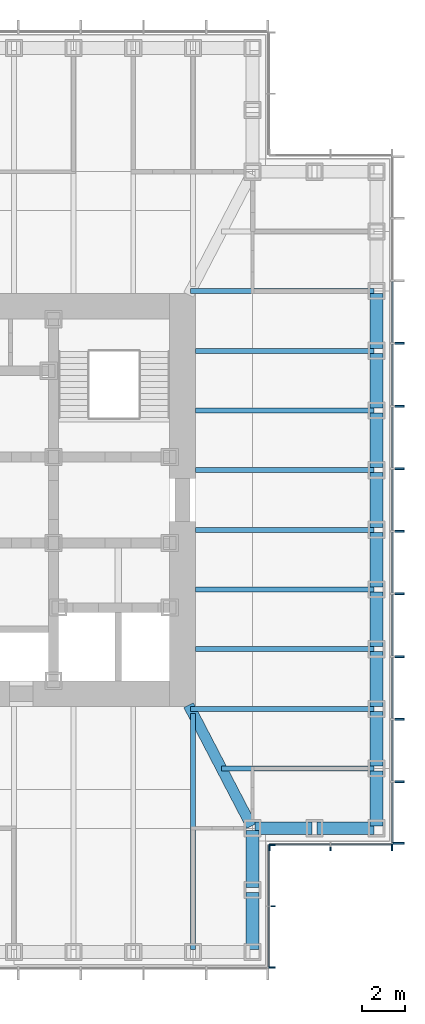
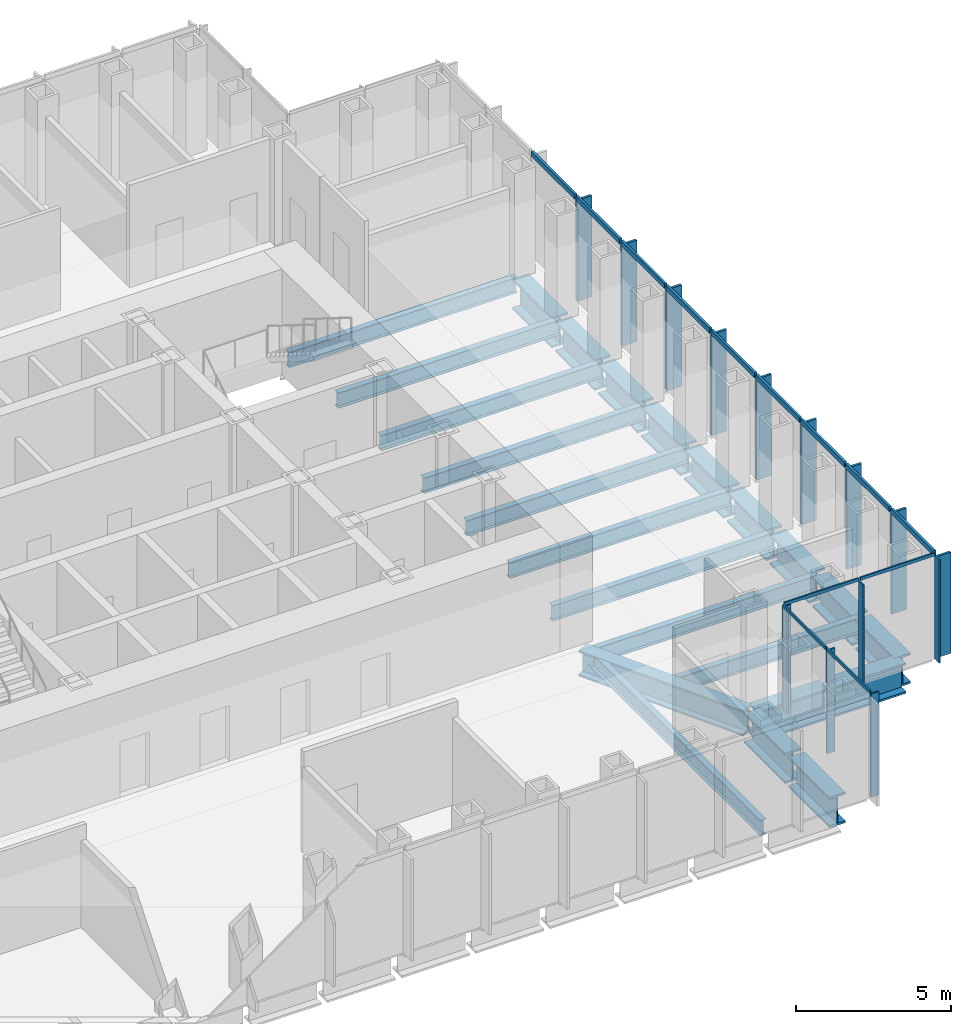
# One storey, part 4 of 16: 28 members, 24 beams, 3 elements without a shape of their own.
"""IFC4 building model written with IfcOpenShell, lengths in metres."""

from ifc_helpers import new_model, si_unit, direction, frame, origin, origin_2d, place, context, subcontext, project, spatial, rectangle, i_section, extrude, material, material_profile, profile_set, type_object, element, aggregate, save


model = new_model("IFC4")

# Units and contexts
model_context = context("Model", 3, precision=1e-05, world=origin(), true_north=direction((0.0, 1.0)))
body_context = subcontext(model_context, "Body", "Model", "MODEL_VIEW")
ifc_project = project(units=[si_unit("LENGTHUNIT", "METRE"), si_unit("AREAUNIT", "SQUARE_METRE"), si_unit("VOLUMEUNIT", "CUBIC_METRE"), si_unit("PLANEANGLEUNIT", "RADIAN"), si_unit("MASSUNIT", "GRAM", prefix="KILO")], contexts=[model_context])

# Site, building, storey
site_placement = place(None, origin())
site = spatial("IfcSite", under=ifc_project, at=site_placement, CompositionType="ELEMENT")
building_placement = place(site_placement, origin())
building = spatial("IfcBuilding", under=site, at=building_placement, Name="Daluyong Arena Tower", CompositionType="ELEMENT")
storey_placement = place(building_placement, frame((0.0, 0.0, 254.5)))
storey = spatial("IfcBuildingStorey", under=building, at=storey_placement, Name="L57", CompositionType="ELEMENT", Elevation=254.5)

# Curtain wall, members
ifc_material_1 = material(Name="Bronze anodised aluminium and glass", Category="aluminium")
curtain_wall_type_1 = type_object("IfcCurtainWallType", Name="Curtain wall CW4", PredefinedType="USERDEFINED", material=ifc_material_1)
curtain_wall_1_placement = place(storey_placement, origin())
curtain_wall_1 = element("IfcCurtainWall", 1, at=curtain_wall_1_placement, inside=storey, type_object=curtain_wall_type_1, Name="curtain wall L57 E", ObjectType="UNITISED CURTAIN WALL", PredefinedType="USERDEFINED")
ifc_material_2 = material(Name="Bronze anodised aluminium fin", Category="aluminium")
ifc_material_profile_1 = material_profile(ifc_material_2, rectangle(XDim=0.550048828125, YDim=0.090087890625, at=origin_2d()))
ifc_profile_set_1 = profile_set([ifc_material_profile_1], Name="Bronze anodised aluminium fin")
member_type_1 = type_object("IfcMemberType", Name="CW4 bronze fin 550x90", PredefinedType="MULLION", material=ifc_profile_set_1)
member_1_placement = place(storey_placement, frame((78.02490234375, 64.044921875, 0.0), z_axis=(0.0, 0.0, 1.0), x_axis=(-1.0, 0.0, 0.0)))
member_1 = element("IfcMember", 2, at=member_1_placement, type_object=member_type_1, Name="curtain wall L57 E fin 1", PredefinedType="MULLION", context=body_context, shape_type="SweptSolid", body=[
    extrude(rectangle(XDim=0.550048828125, YDim=0.090087890625, at=origin_2d()), origin(), (0.0, 0.0, 1.0), 4.0),
])
member_2_placement = place(storey_placement, frame((78.02490234375, 66.9091796875, 0.0), z_axis=(0.0, 0.0, 1.0), x_axis=(-1.0, 0.0, 0.0)))
member_2 = element("IfcMember", 3, at=member_2_placement, type_object=member_type_1, Name="curtain wall L57 E fin 2", PredefinedType="MULLION", context=body_context, shape_type="SweptSolid", body=[
    extrude(rectangle(XDim=0.550048828125, YDim=0.090087890625, at=origin_2d()), origin(), (0.0, 0.0, 1.0), 4.0),
])
member_3_placement = place(storey_placement, frame((78.02490234375, 69.818115234375, 0.0), z_axis=(0.0, 0.0, 1.0), x_axis=(-1.0, 0.0, 0.0)))
member_3 = element("IfcMember", 4, at=member_3_placement, type_object=member_type_1, Name="curtain wall L57 E fin 3", PredefinedType="MULLION", context=body_context, shape_type="SweptSolid", body=[
    extrude(rectangle(XDim=0.550048828125, YDim=0.090087890625, at=origin_2d()), origin(), (0.0, 0.0, 1.0), 4.0),
])
member_4_placement = place(storey_placement, frame((78.02490234375, 72.727294921875, 0.0), z_axis=(0.0, 0.0, 1.0), x_axis=(-1.0, 0.0, 0.0)))
member_4 = element("IfcMember", 5, at=member_4_placement, type_object=member_type_1, Name="curtain wall L57 E fin 4", PredefinedType="MULLION", context=body_context, shape_type="SweptSolid", body=[
    extrude(rectangle(XDim=0.550048828125, YDim=0.090087890625, at=origin_2d()), origin(), (0.0, 0.0, 1.0), 4.0),
])
member_5_placement = place(storey_placement, frame((78.02490234375, 75.636474609375, 0.0), z_axis=(0.0, 0.0, 1.0), x_axis=(-1.0, 0.0, 0.0)))
member_5 = element("IfcMember", 6, at=member_5_placement, type_object=member_type_1, Name="curtain wall L57 E fin 5", PredefinedType="MULLION", context=body_context, shape_type="SweptSolid", body=[
    extrude(rectangle(XDim=0.550048828125, YDim=0.090087890625, at=origin_2d()), origin(), (0.0, 0.0, 1.0), 4.0),
])
member_6_placement = place(storey_placement, frame((78.02490234375, 78.54541015625, 0.0), z_axis=(0.0, 0.0, 1.0), x_axis=(-1.0, 0.0, 0.0)))
member_6 = element("IfcMember", 7, at=member_6_placement, type_object=member_type_1, Name="curtain wall L57 E fin 6", PredefinedType="MULLION", context=body_context, shape_type="SweptSolid", body=[
    extrude(rectangle(XDim=0.550048828125, YDim=0.090087890625, at=origin_2d()), origin(), (0.0, 0.0, 1.0), 4.0),
])
member_7_placement = place(storey_placement, frame((78.02490234375, 81.45458984375, 0.0), z_axis=(0.0, 0.0, 1.0), x_axis=(-1.0, 0.0, 0.0)))
member_7 = element("IfcMember", 8, at=member_7_placement, type_object=member_type_1, Name="curtain wall L57 E fin 7", PredefinedType="MULLION", context=body_context, shape_type="SweptSolid", body=[
    extrude(rectangle(XDim=0.550048828125, YDim=0.090087890625, at=origin_2d()), origin(), (0.0, 0.0, 1.0), 4.0),
])
member_8_placement = place(storey_placement, frame((78.02490234375, 84.363525390625, 0.0), z_axis=(0.0, 0.0, 1.0), x_axis=(-1.0, 0.0, 0.0)))
member_8 = element("IfcMember", 9, at=member_8_placement, type_object=member_type_1, Name="curtain wall L57 E fin 8", PredefinedType="MULLION", context=body_context, shape_type="SweptSolid", body=[
    extrude(rectangle(XDim=0.550048828125, YDim=0.090087890625, at=origin_2d()), origin(), (0.0, 0.0, 1.0), 4.0),
])
member_9_placement = place(storey_placement, frame((78.02490234375, 87.272705078125, 0.0), z_axis=(0.0, 0.0, 1.0), x_axis=(-1.0, 0.0, 0.0)))
member_9 = element("IfcMember", 10, at=member_9_placement, type_object=member_type_1, Name="curtain wall L57 E fin 9", PredefinedType="MULLION", context=body_context, shape_type="SweptSolid", body=[
    extrude(rectangle(XDim=0.550048828125, YDim=0.090087890625, at=origin_2d()), origin(), (0.0, 0.0, 1.0), 4.0),
])
ifc_material_3 = material(Name="Bronze anodised aluminium", Category="aluminium")
ifc_material_profile_2 = material_profile(ifc_material_3, rectangle(XDim=0.090087890625, YDim=0.199951171875, at=origin_2d()))
ifc_profile_set_2 = profile_set([ifc_material_profile_2], Name="Bronze anodised aluminium")
member_type_2 = type_object("IfcMemberType", Name="CW4 stack transom 200x90", PredefinedType="USERDEFINED", material=ifc_profile_set_2)
member_10_placement = place(storey_placement, frame((77.75, 64.090087890625, 4.10009765625), z_axis=(0.0, 1.0, 0.0), x_axis=(-1.0, 0.0, 0.0)))
member_10 = element("IfcMember", 11, at=member_10_placement, type_object=member_type_2, Name="curtain wall L57 E transom 1", ObjectType="TRANSOM", PredefinedType="USERDEFINED", context=body_context, shape_type="SweptSolid", body=[
    extrude(rectangle(XDim=0.090087890625, YDim=0.199951171875, at=origin_2d()), origin(), (0.0, 0.0, 1.0), 2.77392578125),
])
member_11_placement = place(storey_placement, frame((77.75, 66.9541015625, 4.10009765625), z_axis=(0.0, 1.0, 0.0), x_axis=(-1.0, 0.0, 0.0)))
member_11 = element("IfcMember", 12, at=member_11_placement, type_object=member_type_2, Name="curtain wall L57 E transom 2", ObjectType="TRANSOM", PredefinedType="USERDEFINED", context=body_context, shape_type="SweptSolid", body=[
    extrude(rectangle(XDim=0.090087890625, YDim=0.199951171875, at=origin_2d()), origin(), (0.0, 0.0, 1.0), 2.819091796875),
])
member_12_placement = place(storey_placement, frame((77.75, 69.86328125, 4.10009765625), z_axis=(0.0, 1.0, 0.0), x_axis=(-1.0, 0.0, 0.0)))
member_12 = element("IfcMember", 13, at=member_12_placement, type_object=member_type_2, Name="curtain wall L57 E transom 3", ObjectType="TRANSOM", PredefinedType="USERDEFINED", context=body_context, shape_type="SweptSolid", body=[
    extrude(rectangle(XDim=0.090087890625, YDim=0.199951171875, at=origin_2d()), origin(), (0.0, 0.0, 1.0), 2.819091796875),
])
member_13_placement = place(storey_placement, frame((77.75, 72.772216796875, 4.10009765625), z_axis=(0.0, 1.0, 0.0), x_axis=(-1.0, 0.0, 0.0)))
member_13 = element("IfcMember", 14, at=member_13_placement, type_object=member_type_2, Name="curtain wall L57 E transom 4", ObjectType="TRANSOM", PredefinedType="USERDEFINED", context=body_context, shape_type="SweptSolid", body=[
    extrude(rectangle(XDim=0.090087890625, YDim=0.199951171875, at=origin_2d()), origin(), (0.0, 0.0, 1.0), 2.819091796875),
])
member_14_placement = place(storey_placement, frame((77.75, 75.681396484375, 4.10009765625), z_axis=(0.0, 1.0, 0.0), x_axis=(-1.0, 0.0, 0.0)))
member_14 = element("IfcMember", 15, at=member_14_placement, type_object=member_type_2, Name="curtain wall L57 E transom 5", ObjectType="TRANSOM", PredefinedType="USERDEFINED", context=body_context, shape_type="SweptSolid", body=[
    extrude(rectangle(XDim=0.090087890625, YDim=0.199951171875, at=origin_2d()), origin(), (0.0, 0.0, 1.0), 2.819091796875),
])
member_15_placement = place(storey_placement, frame((77.75, 78.590576171875, 4.10009765625), z_axis=(0.0, 1.0, 0.0), x_axis=(-1.0, 0.0, 0.0)))
member_15 = element("IfcMember", 16, at=member_15_placement, type_object=member_type_2, Name="curtain wall L57 E transom 6", ObjectType="TRANSOM", PredefinedType="USERDEFINED", context=body_context, shape_type="SweptSolid", body=[
    extrude(rectangle(XDim=0.090087890625, YDim=0.199951171875, at=origin_2d()), origin(), (0.0, 0.0, 1.0), 2.81884765625),
])
member_16_placement = place(storey_placement, frame((77.75, 81.49951171875, 4.10009765625), z_axis=(0.0, 1.0, 0.0), x_axis=(-1.0, 0.0, 0.0)))
member_16 = element("IfcMember", 17, at=member_16_placement, type_object=member_type_2, Name="curtain wall L57 E transom 7", ObjectType="TRANSOM", PredefinedType="USERDEFINED", context=body_context, shape_type="SweptSolid", body=[
    extrude(rectangle(XDim=0.090087890625, YDim=0.199951171875, at=origin_2d()), origin(), (0.0, 0.0, 1.0), 2.819091796875),
])
member_17_placement = place(storey_placement, frame((77.75, 84.40869140625, 4.10009765625), z_axis=(0.0, 1.0, 0.0), x_axis=(-1.0, 0.0, 0.0)))
member_17 = element("IfcMember", 18, at=member_17_placement, type_object=member_type_2, Name="curtain wall L57 E transom 8", ObjectType="TRANSOM", PredefinedType="USERDEFINED", context=body_context, shape_type="SweptSolid", body=[
    extrude(rectangle(XDim=0.090087890625, YDim=0.199951171875, at=origin_2d()), origin(), (0.0, 0.0, 1.0), 2.819091796875),
])
member_18_placement = place(storey_placement, frame((77.75, 87.317626953125, 4.10009765625), z_axis=(0.0, 1.0, 0.0), x_axis=(-1.0, 0.0, 0.0)))
member_18 = element("IfcMember", 19, at=member_18_placement, type_object=member_type_2, Name="curtain wall L57 E transom 9", ObjectType="TRANSOM", PredefinedType="USERDEFINED", context=body_context, shape_type="SweptSolid", body=[
    extrude(rectangle(XDim=0.090087890625, YDim=0.199951171875, at=origin_2d()), origin(), (0.0, 0.0, 1.0), 2.819091796875),
])
aggregate(curtain_wall_1, [member_1, member_2, member_3, member_4, member_5, member_6, member_7, member_8, member_9, member_10, member_11, member_12, member_13, member_14, member_15, member_16, member_17, member_18])

ifc_material_4 = material(Name="Bronze anodised aluminium and glass", Category="aluminium")
curtain_wall_type_2 = type_object("IfcCurtainWallType", Name="Curtain wall CW7", PredefinedType="USERDEFINED", material=ifc_material_4)
curtain_wall_2_placement = place(storey_placement, origin())
curtain_wall_2 = element("IfcCurtainWall", 20, at=curtain_wall_2_placement, inside=storey, type_object=curtain_wall_type_2, Name="curtain wall L57 SE-E", ObjectType="UNITISED CURTAIN WALL", PredefinedType="USERDEFINED")
ifc_material_5 = material(Name="Bronze anodised aluminium fin", Category="aluminium")
ifc_material_profile_3 = material_profile(ifc_material_5, rectangle(XDim=0.300048828125, YDim=0.06005859375, at=origin_2d()))
ifc_profile_set_3 = profile_set([ifc_material_profile_3], Name="Bronze anodised aluminium fin")
member_type_3 = type_object("IfcMemberType", Name="CW7 bronze fin 300x60", PredefinedType="MULLION", material=ifc_profile_set_3)
member_19_placement = place(storey_placement, frame((72.14990234375, 58.280029296875, 0.0), z_axis=(0.0, 0.0, 1.0), x_axis=(-1.0, 0.0, 0.0)))
member_19 = element("IfcMember", 21, at=member_19_placement, type_object=member_type_3, Name="curtain wall L57 SE-E fin 1", PredefinedType="MULLION", context=body_context, shape_type="SweptSolid", body=[
    extrude(rectangle(XDim=0.300048828125, YDim=0.06005859375, at=origin_2d()), origin(), (0.0, 0.0, 1.0), 4.080078125),
])
member_20_placement = place(storey_placement, frame((72.14990234375, 61.125, 0.0), z_axis=(0.0, 0.0, 1.0), x_axis=(-1.0, 0.0, 0.0)))
member_20 = element("IfcMember", 22, at=member_20_placement, type_object=member_type_3, Name="curtain wall L57 SE-E fin 2", PredefinedType="MULLION", context=body_context, shape_type="SweptSolid", body=[
    extrude(rectangle(XDim=0.300048828125, YDim=0.06005859375, at=origin_2d()), origin(), (0.0, 0.0, 1.0), 4.080078125),
])
member_21_placement = place(storey_placement, frame((72.14990234375, 63.969970703125, 0.0), z_axis=(0.0, 0.0, 1.0), x_axis=(-1.0, 0.0, 0.0)))
member_21 = element("IfcMember", 23, at=member_21_placement, type_object=member_type_3, Name="curtain wall L57 SE-E fin 3", PredefinedType="MULLION", context=body_context, shape_type="SweptSolid", body=[
    extrude(rectangle(XDim=0.300048828125, YDim=0.06005859375, at=origin_2d()), origin(), (0.0, 0.0, 1.0), 4.080078125),
])

curtain_wall_3_placement = place(storey_placement, origin())
curtain_wall_3 = element("IfcCurtainWall", 24, at=curtain_wall_3_placement, inside=storey, type_object=curtain_wall_type_2, Name="curtain wall L57 SE-S", ObjectType="UNITISED CURTAIN WALL", PredefinedType="USERDEFINED")
member_22_placement = place(storey_placement, frame((72.030029296875, 63.85009765625, 0.0), z_axis=(0.0, 0.0, 1.0), x_axis=(0.0, 1.0, 0.0)))
member_22 = element("IfcMember", 25, at=member_22_placement, type_object=member_type_3, Name="curtain wall L57 SE-S fin 1", PredefinedType="MULLION", context=body_context, shape_type="SweptSolid", body=[
    extrude(rectangle(XDim=0.300048828125, YDim=0.06005859375, at=origin_2d()), origin(), (0.0, 0.0, 1.0), 4.080078125),
])
member_23_placement = place(storey_placement, frame((74.875, 63.85009765625, 0.0), z_axis=(0.0, 0.0, 1.0), x_axis=(0.0, 1.0, 0.0)))
member_23 = element("IfcMember", 26, at=member_23_placement, type_object=member_type_3, Name="curtain wall L57 SE-S fin 2", PredefinedType="MULLION", context=body_context, shape_type="SweptSolid", body=[
    extrude(rectangle(XDim=0.300048828125, YDim=0.06005859375, at=origin_2d()), origin(), (0.0, 0.0, 1.0), 4.080078125),
])
member_24_placement = place(storey_placement, frame((77.719970703125, 63.85009765625, 0.0), z_axis=(0.0, 0.0, 1.0), x_axis=(0.0, 1.0, 0.0)))
member_24 = element("IfcMember", 27, at=member_24_placement, type_object=member_type_3, Name="curtain wall L57 SE-S fin 3", PredefinedType="MULLION", context=body_context, shape_type="SweptSolid", body=[
    extrude(rectangle(XDim=0.300048828125, YDim=0.06005859375, at=origin_2d()), origin(), (0.0, 0.0, 1.0), 4.080078125),
])

# Member
ifc_material_6 = material(Name="Bronze anodised aluminium", Category="aluminium")
ifc_material_profile_4 = material_profile(ifc_material_6, rectangle(XDim=0.06005859375, YDim=0.1201171875, at=origin_2d()))
ifc_profile_set_4 = profile_set([ifc_material_profile_4], Name="Bronze anodised aluminium")
member_type_4 = type_object("IfcMemberType", Name="CW7 stack transom 120x60", PredefinedType="USERDEFINED", material=ifc_profile_set_4)
member_25_placement = place(storey_placement, frame((72.0, 58.31005859375, 4.139892578125), z_axis=(0.0, 1.0, 0.0), x_axis=(-1.0, 0.0, 0.0)))
member_25 = element("IfcMember", 28, at=member_25_placement, type_object=member_type_4, Name="curtain wall L57 SE-E transom 1", ObjectType="TRANSOM", PredefinedType="USERDEFINED", context=body_context, shape_type="SweptSolid", body=[
    extrude(rectangle(XDim=0.06005859375, YDim=0.1201171875, at=origin_2d()), origin(), (0.0, 0.0, 1.0), 2.784912109375),
])

member_26_placement = place(storey_placement, frame((72.0, 61.155029296875, 4.139892578125), z_axis=(0.0, 1.0, 0.0), x_axis=(-1.0, 0.0, 0.0)))
member_26 = element("IfcMember", 29, at=member_26_placement, type_object=member_type_4, Name="curtain wall L57 SE-E transom 2", ObjectType="TRANSOM", PredefinedType="USERDEFINED", context=body_context, shape_type="SweptSolid", body=[
    extrude(rectangle(XDim=0.06005859375, YDim=0.1201171875, at=origin_2d()), origin(), (0.0, 0.0, 1.0), 2.784912109375),
])

aggregate(curtain_wall_2, [member_19, member_20, member_21, member_25, member_26])

member_27_placement = place(storey_placement, frame((72.06005859375, 64.0, 4.139892578125), z_axis=(1.0, 0.0, 0.0), x_axis=(0.0, 1.0, 0.0)))
member_27 = element("IfcMember", 30, at=member_27_placement, type_object=member_type_4, Name="curtain wall L57 SE-S transom 1", ObjectType="TRANSOM", PredefinedType="USERDEFINED", context=body_context, shape_type="SweptSolid", body=[
    extrude(rectangle(XDim=0.06005859375, YDim=0.1201171875, at=origin_2d()), origin(), (0.0, 0.0, 1.0), 2.784912109375),
])

member_28_placement = place(storey_placement, frame((74.905029296875, 64.0, 4.139892578125), z_axis=(1.0, 0.0, 0.0), x_axis=(0.0, 1.0, 0.0)))
member_28 = element("IfcMember", 31, at=member_28_placement, type_object=member_type_4, Name="curtain wall L57 SE-S transom 2", ObjectType="TRANSOM", PredefinedType="USERDEFINED", context=body_context, shape_type="SweptSolid", body=[
    extrude(rectangle(XDim=0.06005859375, YDim=0.1201171875, at=origin_2d()), origin(), (0.0, 0.0, 1.0), 2.784912109375),
])

aggregate(curtain_wall_3, [member_22, member_23, member_24, member_27, member_28])

# Beams
ifc_material_7 = material(Name="Steel ASTM A572 Grade 50", Category="steel")
ifc_material_profile_5 = material_profile(ifc_material_7, i_section(OverallWidth=0.5, OverallDepth=1.0, WebThickness=0.03, FlangeThickness=0.06, at=origin_2d()))
ifc_profile_set_5 = profile_set([ifc_material_profile_5], Name="Steel ASTM A572 Grade 50")
beam_type_1 = type_object("IfcBeamType", Name="Corner girder TB1000X500", PredefinedType="BEAM", material=ifc_profile_set_5)
beam_1_placement = place(storey_placement, frame((71.197021484375, 64.85205078125, -0.659912109375), z_axis=(-0.461351522179, 0.887217432754, 0.0), x_axis=(-0.887217432754, -0.461351522179, 0.0)))
element("IfcBeam", 32, at=beam_1_placement, inside=storey, type_object=beam_type_1, Name="corner girder DG2", PredefinedType="BEAM", context=body_context, shape_type="SweptSolid", body=[
    extrude(i_section(OverallWidth=0.5, OverallDepth=1.0, WebThickness=0.03, FlangeThickness=0.06, at=origin_2d()), origin(), (0.0, 0.0, 1.0), 6.32958984375),
])
ifc_material_8 = material(Name="Steel ASTM A992 Grade 50", Category="steel")
ifc_material_profile_6 = material_profile(ifc_material_8, i_section(OverallWidth=0.22900390625, OverallDepth=0.612060546875, WebThickness=0.011962890625, FlangeThickness=0.01953125, at=origin_2d()))
ifc_profile_set_6 = profile_set([ifc_material_profile_6], Name="Steel ASTM A992 Grade 50")
beam_type_2 = type_object("IfcBeamType", Name="Floor beam W24X84", PredefinedType="BEAM", material=ifc_profile_set_6)
beam_2_placement = place(storey_placement, frame((68.477294921875, 59.114990234375, -0.466064453125), z_axis=(0.0, 1.0, 0.0), x_axis=(-1.0, 0.0, 0.0)))
element("IfcBeam", 33, at=beam_2_placement, inside=storey, type_object=beam_type_2, Name="floor beam FB3", PredefinedType="BEAM", context=body_context, shape_type="SweptSolid", body=[
    extrude(i_section(OverallWidth=0.22900390625, OverallDepth=0.612060546875, WebThickness=0.011962890625, FlangeThickness=0.01953125, at=origin_2d()), origin(), (0.0, 0.0, 1.0), 10.96728515625),
])
beam_3_placement = place(storey_placement, frame((76.885009765625, 67.522705078125, -0.466064453125), z_axis=(-1.0, 0.0, 0.0), x_axis=(0.0, -1.0, 0.0)))
element("IfcBeam", 34, at=beam_3_placement, inside=storey, type_object=beam_type_2, Name="floor beam FB3", PredefinedType="BEAM", context=body_context, shape_type="SweptSolid", body=[
    extrude(i_section(OverallWidth=0.22900390625, OverallDepth=0.612060546875, WebThickness=0.011962890625, FlangeThickness=0.01953125, at=origin_2d()), origin(), (0.0, 0.0, 1.0), 7.076904296875),
])
beam_4_placement = place(storey_placement, frame((76.885009765625, 70.29541015625, -0.466064453125), z_axis=(-1.0, 0.0, 0.0), x_axis=(0.0, -1.0, 0.0)))
element("IfcBeam", 35, at=beam_4_placement, inside=storey, type_object=beam_type_2, Name="floor beam FB3", PredefinedType="BEAM", context=body_context, shape_type="SweptSolid", body=[
    extrude(i_section(OverallWidth=0.22900390625, OverallDepth=0.612060546875, WebThickness=0.011962890625, FlangeThickness=0.01953125, at=origin_2d()), origin(), (0.0, 0.0, 1.0), 8.5185546875),
])
for number, where, z_axis, x_axis, name in (
    (36, (76.885009765625, 73.068115234375, -0.466064453125), (-1.0, 0.0, 0.0), (0.0, -1.0, 0.0), "floor beam FB3"),
    (37, (76.885009765625, 75.8408203125, -0.466064453125), (-1.0, 0.0, 0.0), (0.0, -1.0, 0.0), "floor beam FB3"),
    (38, (76.885009765625, 78.613525390625, -0.466064453125), (-1.0, 0.0, 0.0), (0.0, -1.0, 0.0), "floor beam FB3"),
    (39, (76.885009765625, 81.386474609375, -0.466064453125), (-1.0, 0.0, 0.0), (0.0, -1.0, 0.0), "floor beam FB3"),
    (40, (76.885009765625, 84.1591796875, -0.466064453125), (-1.0, 0.0, 0.0), (0.0, -1.0, 0.0), "floor beam FB3"),
    (41, (76.885009765625, 86.931884765625, -0.466064453125), (-1.0, 0.0, 0.0), (0.0, -1.0, 0.0), "floor beam FB3"),
):
    element("IfcBeam", number, at=place(storey_placement, frame(where, z_axis=z_axis, x_axis=x_axis)), inside=storey, type_object=beam_type_2, Name=name, PredefinedType="BEAM", context=body_context, shape_type="SweptSolid", body=[
        extrude(i_section(OverallWidth=0.22900390625, OverallDepth=0.612060546875, WebThickness=0.011962890625, FlangeThickness=0.01953125, at=origin_2d()), origin(), (0.0, 0.0, 1.0), 8.284912109375),
    ])
beam_5_placement = place(storey_placement, frame((76.885009765625, 89.70458984375, -0.466064453125), z_axis=(-1.0, 0.0, 0.0), x_axis=(0.0, -1.0, 0.0)))
element("IfcBeam", 42, at=beam_5_placement, inside=storey, type_object=beam_type_2, Name="floor beam FB3", PredefinedType="BEAM", context=body_context, shape_type="SweptSolid", body=[
    extrude(i_section(OverallWidth=0.22900390625, OverallDepth=0.612060546875, WebThickness=0.011962890625, FlangeThickness=0.01953125, at=origin_2d()), origin(), (0.0, 0.0, 1.0), 8.5185546875),
])
ifc_material_9 = material(Name="Steel ASTM A572 Grade 50", Category="steel")
ifc_material_profile_7 = material_profile(ifc_material_9, i_section(OverallWidth=0.60009765625, OverallDepth=1.199951171875, WebThickness=0.03, FlangeThickness=0.08, at=origin_2d()))
ifc_profile_set_7 = profile_set([ifc_material_profile_7], Name="Steel ASTM A572 Grade 50")
beam_type_3 = type_object("IfcBeamType", Name="Spandrel Z4 PG1200X600", PredefinedType="SPANDREL", material=ifc_profile_set_7)
for number, where, z_axis, x_axis, name in (
    (43, (71.25, 59.114990234375, -0.760009765625), (0.0, 1.0, 0.0), (-1.0, 0.0, 0.0), "spandrel z4 SB9"),
    (44, (71.25, 61.989990234375, -0.760009765625), (0.0, 1.0, 0.0), (-1.0, 0.0, 0.0), "spandrel z4 SB9"),
    (45, (71.364990234375, 64.75, -0.760009765625), (1.0, 0.0, 0.0), (0.0, 1.0, 0.0), "spandrel z4 SB9"),
    (46, (74.239990234375, 64.75, -0.760009765625), (1.0, 0.0, 0.0), (0.0, 1.0, 0.0), "spandrel z4 SB9"),
):
    element("IfcBeam", number, at=place(storey_placement, frame(where, z_axis=z_axis, x_axis=x_axis)), inside=storey, type_object=beam_type_3, Name=name, PredefinedType="SPANDREL", context=body_context, shape_type="SweptSolid", body=[
        extrude(i_section(OverallWidth=0.60009765625, OverallDepth=1.199951171875, WebThickness=0.03, FlangeThickness=0.08, at=origin_2d()), origin(), (0.0, 0.0, 1.0), 2.64501953125),
    ])
for number, where, z_axis, x_axis, name in (
    (47, (77.0, 64.864990234375, -0.760009765625), (0.0, 1.0, 0.0), (-1.0, 0.0, 0.0), "spandrel z4 SB9"),
    (48, (77.0, 67.6376953125, -0.760009765625), (0.0, 1.0, 0.0), (-1.0, 0.0, 0.0), "spandrel z4 SB9"),
    (49, (77.0, 70.410400390625, -0.760009765625), (0.0, 1.0, 0.0), (-1.0, 0.0, 0.0), "spandrel z4 SB9"),
    (50, (77.0, 73.18310546875, -0.760009765625), (0.0, 1.0, 0.0), (-1.0, 0.0, 0.0), "spandrel z4 SB9"),
    (51, (77.0, 75.955810546875, -0.760009765625), (0.0, 1.0, 0.0), (-1.0, 0.0, 0.0), "spandrel z4 SB9"),
):
    element("IfcBeam", number, at=place(storey_placement, frame(where, z_axis=z_axis, x_axis=x_axis)), inside=storey, type_object=beam_type_3, Name=name, PredefinedType="SPANDREL", context=body_context, shape_type="SweptSolid", body=[
        extrude(i_section(OverallWidth=0.60009765625, OverallDepth=1.199951171875, WebThickness=0.03, FlangeThickness=0.08, at=origin_2d()), origin(), (0.0, 0.0, 1.0), 2.542724609375),
    ])
beam_6_placement = place(storey_placement, frame((77.0, 78.728515625, -0.760009765625), z_axis=(0.0, 1.0, 0.0), x_axis=(-1.0, 0.0, 0.0)))
element("IfcBeam", 52, at=beam_6_placement, inside=storey, type_object=beam_type_3, Name="spandrel z4 SB9", PredefinedType="SPANDREL", context=body_context, shape_type="SweptSolid", body=[
    extrude(i_section(OverallWidth=0.60009765625, OverallDepth=1.199951171875, WebThickness=0.03, FlangeThickness=0.08, at=origin_2d()), origin(), (0.0, 0.0, 1.0), 2.54296875),
])
for number, where, z_axis, x_axis, name in (
    (53, (77.0, 81.50146484375, -0.760009765625), (0.0, 1.0, 0.0), (-1.0, 0.0, 0.0), "spandrel z4 SB9"),
    (54, (77.0, 84.274169921875, -0.760009765625), (0.0, 1.0, 0.0), (-1.0, 0.0, 0.0), "spandrel z4 SB9"),
    (55, (77.0, 87.046875, -0.760009765625), (0.0, 1.0, 0.0), (-1.0, 0.0, 0.0), "spandrel z4 SB9"),
):
    element("IfcBeam", number, at=place(storey_placement, frame(where, z_axis=z_axis, x_axis=x_axis)), inside=storey, type_object=beam_type_3, Name=name, PredefinedType="SPANDREL", context=body_context, shape_type="SweptSolid", body=[
        extrude(i_section(OverallWidth=0.60009765625, OverallDepth=1.199951171875, WebThickness=0.03, FlangeThickness=0.08, at=origin_2d()), origin(), (0.0, 0.0, 1.0), 2.542724609375),
    ])

save(model, "model.ifc")
